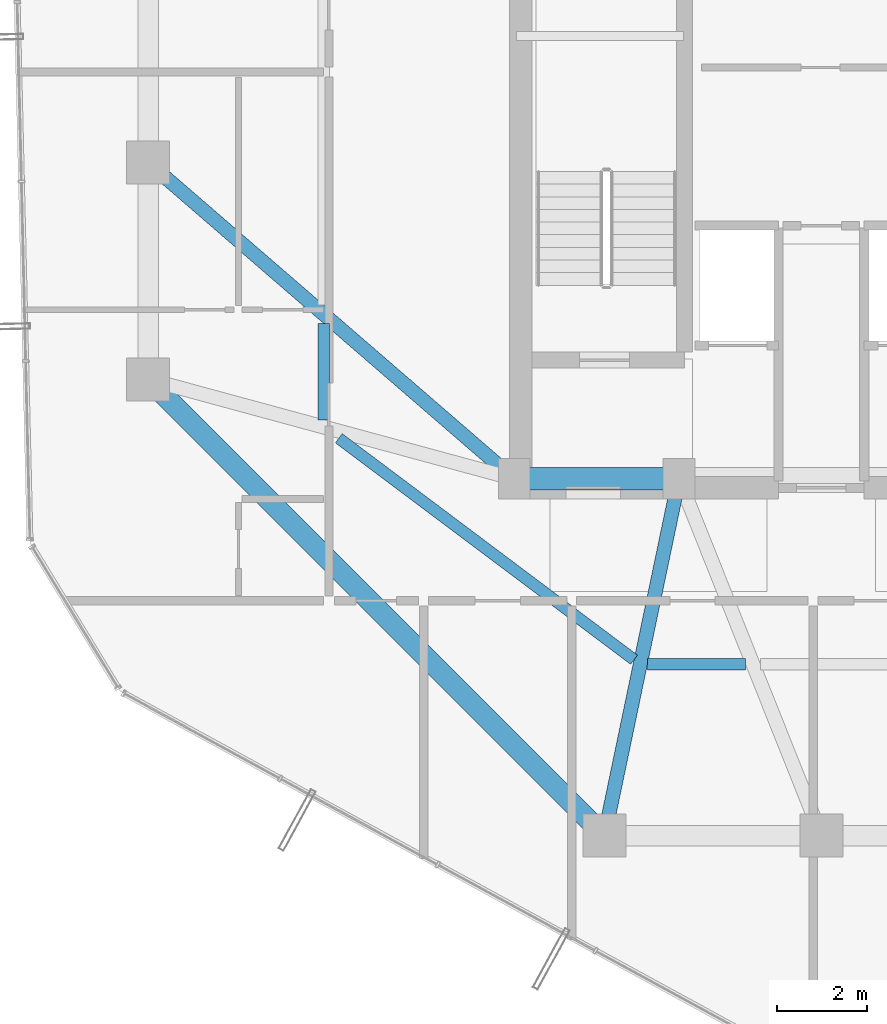
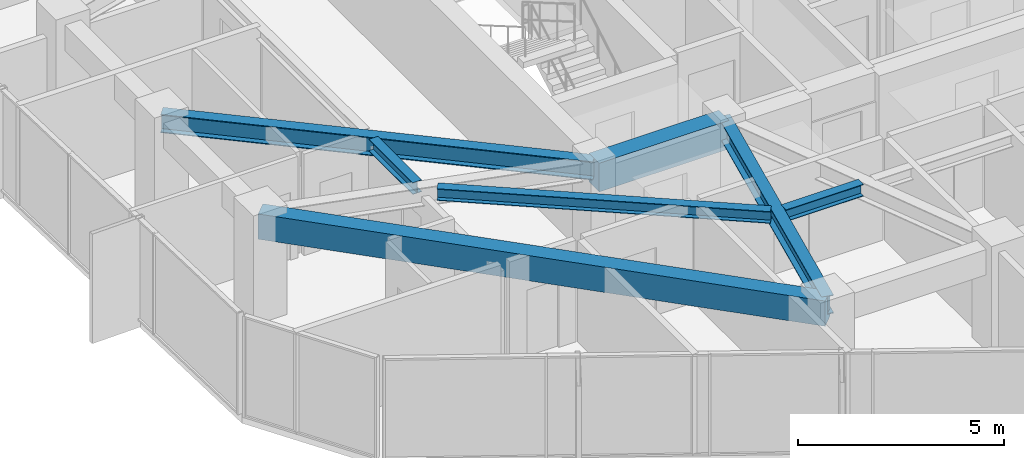
# One storey, part 6 of 32: 7 beams.
"""IFC4 building model written with IfcOpenShell, lengths in metres."""

from ifc_helpers import new_model, si_unit, direction, frame, origin, origin_2d, place, context, subcontext, project, spatial, rectangle, i_section, extrude, material, material_profile, profile_set, type_object, element, save


model = new_model("IFC4")

# Units and contexts
model_context = context("Model", 3, precision=1e-05, world=origin(), true_north=direction((0.0, 1.0)))
body_context = subcontext(model_context, "Body", "Model", "MODEL_VIEW")
ifc_project = project(units=[si_unit("LENGTHUNIT", "METRE"), si_unit("AREAUNIT", "SQUARE_METRE"), si_unit("VOLUMEUNIT", "CUBIC_METRE"), si_unit("PLANEANGLEUNIT", "RADIAN"), si_unit("MASSUNIT", "GRAM", prefix="KILO")], contexts=[model_context])

# Site, building, storey
site_placement = place(None, origin())
site = spatial("IfcSite", under=ifc_project, at=site_placement, CompositionType="ELEMENT")
building_placement = place(site_placement, origin())
building = spatial("IfcBuilding", under=site, at=building_placement, Name="Veraguas Prism Commons", CompositionType="ELEMENT")
storey_placement = place(building_placement, frame((0.0, 0.0, 201.60009765625)))
storey = spatial("IfcBuildingStorey", under=building, at=storey_placement, Name="L57", CompositionType="ELEMENT", Elevation=201.60009765625)

# Beams
ifc_material_1 = material(Name="Concrete C50/60", Category="concrete")
ifc_material_profile_1 = material_profile(ifc_material_1, rectangle(XDim=0.5, YDim=0.85009765625, at=origin_2d()), Name="RC500X850")
ifc_profile_set_1 = profile_set([ifc_material_profile_1], Name="Concrete C50/60")
beam_type_1 = type_object("IfcBeamType", Name="Core Coupling Beam RC 500x850", PredefinedType="BEAM", material=ifc_profile_set_1)
beam_1_placement = place(storey_placement, frame((17.199951171875, 17.0, 2.58984375), z_axis=(1.0, 0.0, 0.0), x_axis=(0.0, 1.0, 0.0)))
element("IfcBeam", 1, at=beam_1_placement, inside=storey, type_object=beam_type_1, Name="Core Coupling Beam L57-CRS1", PredefinedType="BEAM", context=body_context, shape_type="SweptSolid", body=[
    extrude(rectangle(XDim=0.5, YDim=0.85009765625, at=origin_2d()), origin(), (0.0, 0.0, 1.0), 3.650146484375),
])
ifc_material_profile_2 = material_profile(ifc_material_1, rectangle(XDim=0.449951171875, YDim=0.75, at=origin_2d()), Name="RC450X750")
ifc_profile_set_2 = profile_set([ifc_material_profile_2], Name="Concrete C50/60")
beam_type_2 = type_object("IfcBeamType", Name="Perimeter Spandrel Upper RC 450x750", PredefinedType="SPANDREL", material=ifc_profile_set_2)
beam_2_placement = place(storey_placement, frame((9.10009765625, 19.199951171875, 2.639892578125), z_axis=(0.707106781187, -0.707106781187, 0.0), x_axis=(0.707106781187, 0.707106781187, 0.0)))
element("IfcBeam", 2, at=beam_2_placement, inside=storey, type_object=beam_type_2, Name="Perimeter Spandrel Beam L57-SP09", PredefinedType="SPANDREL", context=body_context, shape_type="SweptSolid", body=[
    extrude(rectangle(XDim=0.449951171875, YDim=0.75, at=origin_2d()), origin(), (0.0, 0.0, 1.0), 14.283447265625),
])
ifc_material_2 = material(Name="Steel ASTM A992 Grade 50", Category="steel")
ifc_material_profile_3 = material_profile(ifc_material_2, i_section(OverallWidth=0.25390625, OverallDepth=0.35302734375, WebThickness=0.009521484375, FlangeThickness=0.016357421875, at=origin_2d()), Name="W360X91")
ifc_profile_set_3 = profile_set([ifc_material_profile_3], Name="Steel ASTM A992 Grade 50")
beam_type_3 = type_object("IfcBeamType", Name="Upper Floor Joist W360x91", PredefinedType="JOIST", material=ifc_profile_set_3)
beam_3_placement = place(storey_placement, frame((12.988037109375, 20.43701171875, 2.83837890625), z_axis=(0.0, -1.0, 0.0), x_axis=(1.0, 0.0, 0.0)))
element("IfcBeam", 3, at=beam_3_placement, inside=storey, type_object=beam_type_3, Name="Composite Floor Joist L57-JS08", PredefinedType="JOIST", context=body_context, shape_type="SweptSolid", body=[
    extrude(i_section(OverallWidth=0.25390625, OverallDepth=0.35302734375, WebThickness=0.009521484375, FlangeThickness=0.016357421875, at=origin_2d()), origin(), (0.0, 0.0, 1.0), 2.134033203125),
])
beam_4_placement = place(storey_placement, frame((13.320556640625, 17.89453125, 2.83837890625), z_axis=(0.800060962004, -0.599918708724, 0.0), x_axis=(0.599918708724, 0.800060962004, 0.0)))
element("IfcBeam", 4, at=beam_4_placement, inside=storey, type_object=beam_type_3, Name="Composite Floor Joist L57-JS09", PredefinedType="JOIST", context=body_context, shape_type="SweptSolid", body=[
    extrude(i_section(OverallWidth=0.25390625, OverallDepth=0.35302734375, WebThickness=0.009521484375, FlangeThickness=0.016357421875, at=origin_2d()), origin(), (0.0, 0.0, 1.0), 8.169189453125),
])
beam_5_placement = place(storey_placement, frame((20.148681640625, 12.89208984375, 2.83837890625), z_axis=(1.0, 0.0, 0.0), x_axis=(0.0, 1.0, 0.0)))
element("IfcBeam", 5, at=beam_5_placement, inside=storey, type_object=beam_type_3, Name="Composite Floor Joist L57-JS10", PredefinedType="JOIST", context=body_context, shape_type="SweptSolid", body=[
    extrude(i_section(OverallWidth=0.25390625, OverallDepth=0.35302734375, WebThickness=0.009521484375, FlangeThickness=0.016357421875, at=origin_2d()), origin(), (0.0, 0.0, 1.0), 2.174072265625),
])
ifc_material_profile_4 = material_profile(ifc_material_2, i_section(OverallWidth=0.31103515625, OverallDepth=0.5458984375, WebThickness=0.0146484375, FlangeThickness=0.023681640625, at=origin_2d()), Name="W530X165")
ifc_profile_set_4 = profile_set([ifc_material_profile_4], Name="Steel ASTM A992 Grade 50")
beam_type_4 = type_object("IfcBeamType", Name="Zone 3 Radial Girder W530x165", PredefinedType="BEAM", material=ifc_profile_set_4)
beam_6_placement = place(storey_placement, frame((9.10009765625, 24.0, 2.741943359375), z_axis=(0.756607086554, -0.653869800936, 0.0), x_axis=(0.653869800936, 0.756607086554, 0.0)))
element("IfcBeam", 6, at=beam_6_placement, inside=storey, type_object=beam_type_4, Name="Radial Floor Girder L57-RD08", PredefinedType="BEAM", context=body_context, shape_type="SweptSolid", body=[
    extrude(i_section(OverallWidth=0.31103515625, OverallDepth=0.5458984375, WebThickness=0.0146484375, FlangeThickness=0.023681640625, at=origin_2d()), origin(), (0.0, 0.0, 1.0), 10.70556640625),
])
beam_7_placement = place(storey_placement, frame((19.199951171875, 9.10009765625, 2.741943359375), z_axis=(0.204468851168, 0.978873070884, 0.0), x_axis=(-0.978873070884, 0.204468851168, 0.0)))
element("IfcBeam", 7, at=beam_7_placement, inside=storey, type_object=beam_type_4, Name="Radial Floor Girder L57-RD10", PredefinedType="BEAM", context=body_context, shape_type="SweptSolid", body=[
    extrude(i_section(OverallWidth=0.31103515625, OverallDepth=0.5458984375, WebThickness=0.0146484375, FlangeThickness=0.023681640625, at=origin_2d()), origin(), (0.0, 0.0, 1.0), 8.0703125),
])

save(model, "model.ifc")
